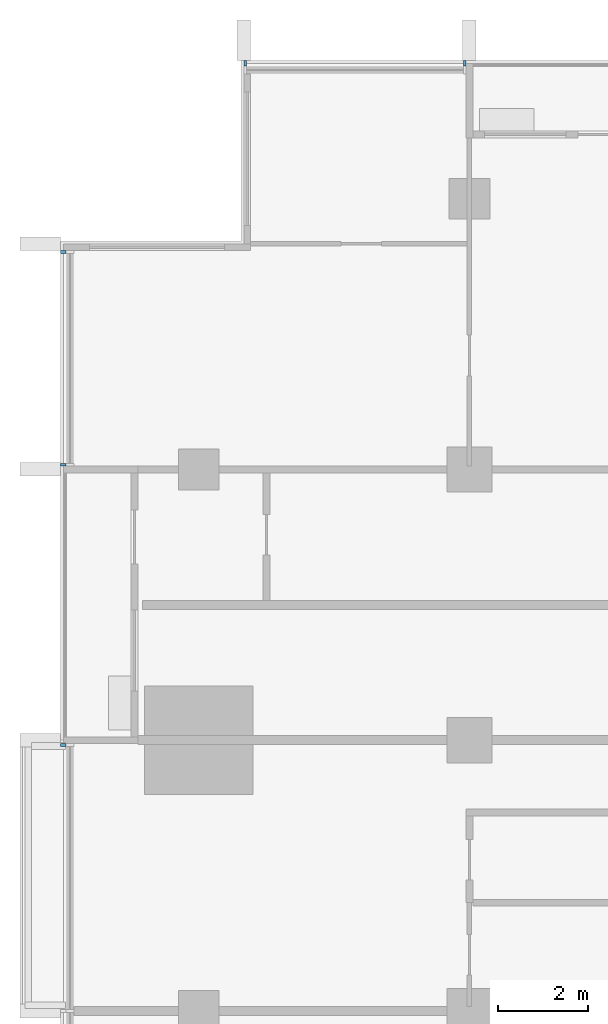
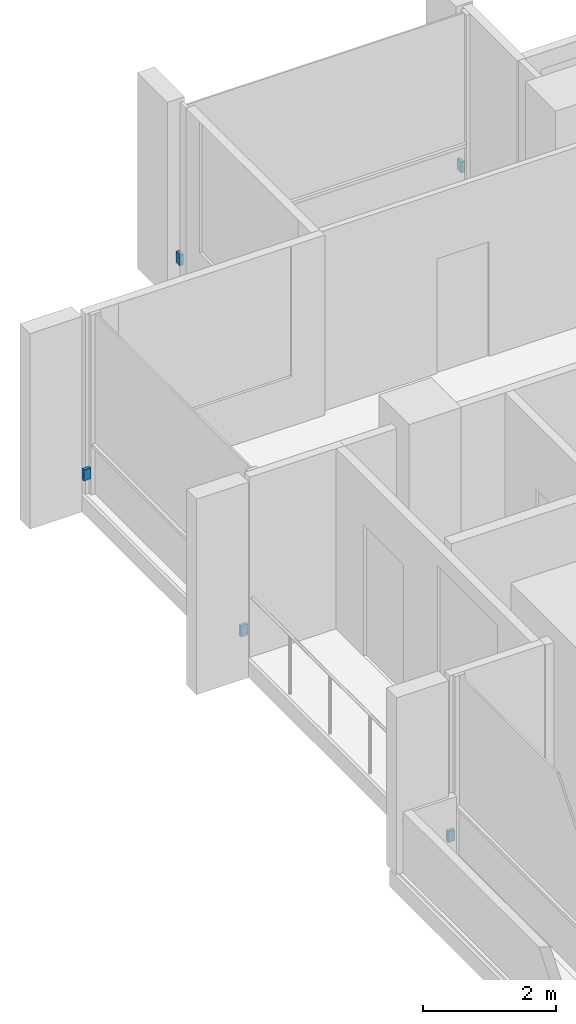
# One storey, part 15 of 17: 5 discrete accessories.
"""IFC4 building model written with IfcOpenShell, lengths in metres."""

from ifc_helpers import new_model, si_unit, direction, frame, origin, origin_2d, place, context, subcontext, project, spatial, rectangle, extrude, material, type_object, element, save


model = new_model("IFC4")

# Units and contexts
model_context = context("Model", 3, precision=1e-05, world=origin(), true_north=direction((0.0, 1.0)))
body_context = subcontext(model_context, "Body", "Model", "MODEL_VIEW")
ifc_project = project(units=[si_unit("LENGTHUNIT", "METRE"), si_unit("AREAUNIT", "SQUARE_METRE"), si_unit("VOLUMEUNIT", "CUBIC_METRE"), si_unit("PLANEANGLEUNIT", "RADIAN"), si_unit("MASSUNIT", "GRAM", prefix="KILO")], contexts=[model_context])

# Site, building, storey
site_placement = place(None, origin())
site = spatial("IfcSite", under=ifc_project, at=site_placement, CompositionType="ELEMENT")
building_placement = place(site_placement, origin())
building = spatial("IfcBuilding", under=site, at=building_placement, Name="Finial Court Residences", CompositionType="ELEMENT")
storey_placement = place(building_placement, frame((0.0, 0.0, 181.699951171875)))
storey = spatial("IfcBuildingStorey", under=building, at=storey_placement, Name="L45", CompositionType="ELEMENT", Elevation=181.699951171875)

# Discrete accessories
ifc_material = material(Name="Stainless steel 316", Category="steel")
discrete_accessory_type = type_object("IfcDiscreteAccessoryType", Name="Fin bracket, stainless steel 60 x 122 x 200", PredefinedType="BRACKET", material=ifc_material)
for number, where, z_axis, x_axis, name in (
    (1, (-15.469970703125, 22.498779296875, 0.30029296875), (0.0, 0.0, 1.0), (1.0, 0.0, 0.0), "E-L45-FIN-N1-BRK"),
    (2, (-10.60498046875, 22.498779296875, 0.30029296875), (0.0, 0.0, 1.0), (1.0, 0.0, 0.0), "E-L45-FIN-N2-BRK"),
):
    element("IfcDiscreteAccessory", number, at=place(storey_placement, frame(where, z_axis=z_axis, x_axis=x_axis)), inside=storey, type_object=discrete_accessory_type, Name=name, PredefinedType="BRACKET", context=body_context, shape_type="SweptSolid", body=[
        extrude(rectangle(XDim=0.06005859375, YDim=0.12255859375, at=origin_2d()), origin(), (0.0, 0.0, 1.0), 0.199951171875),
    ])
for number, where, z_axis, x_axis, name in (
    (3, (-19.498779296875, 7.39501953125, 0.30029296875), (0.0, 0.0, 1.0), (1.0, 0.0, 0.0), "E-L45-FIN-W26-BRK"),
    (4, (-19.498779296875, 13.60498046875, 0.30029296875), (0.0, 0.0, 1.0), (1.0, 0.0, 0.0), "E-L45-FIN-W27-BRK"),
    (5, (-19.498779296875, 18.320068359375, 0.30029296875), (0.0, 0.0, 1.0), (1.0, 0.0, 0.0), "E-L45-FIN-W28-BRK"),
):
    element("IfcDiscreteAccessory", number, at=place(storey_placement, frame(where, z_axis=z_axis, x_axis=x_axis)), inside=storey, type_object=discrete_accessory_type, Name=name, PredefinedType="BRACKET", context=body_context, shape_type="SweptSolid", body=[
        extrude(rectangle(XDim=0.12255859375, YDim=0.06005859375, at=origin_2d()), origin(), (0.0, 0.0, 1.0), 0.199951171875),
    ])

save(model, "model.ifc")
